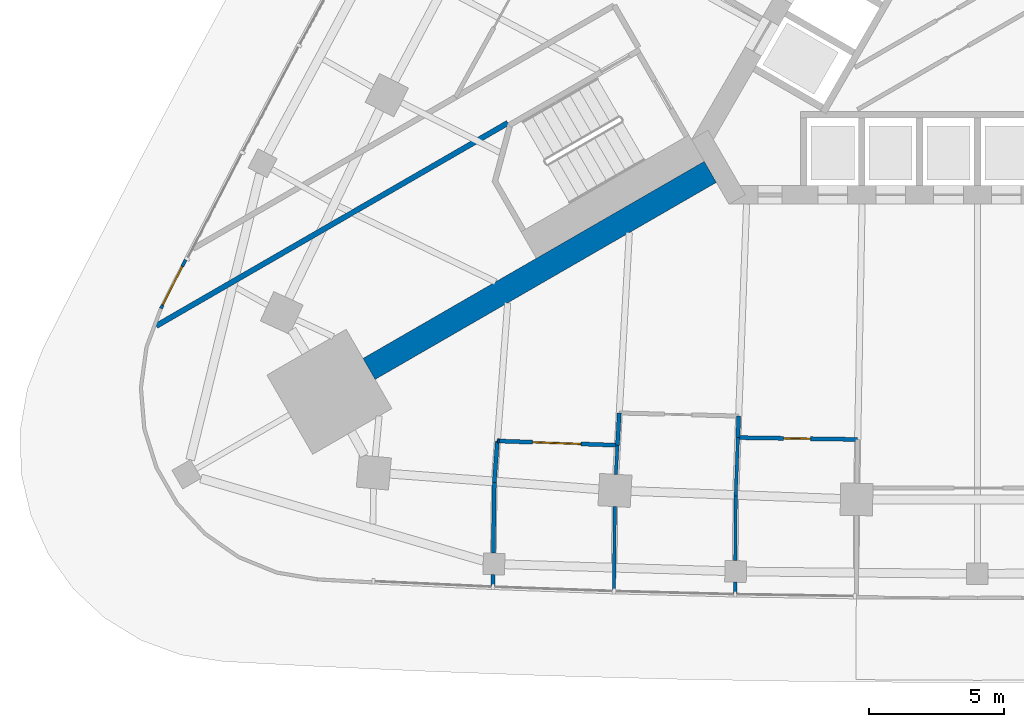
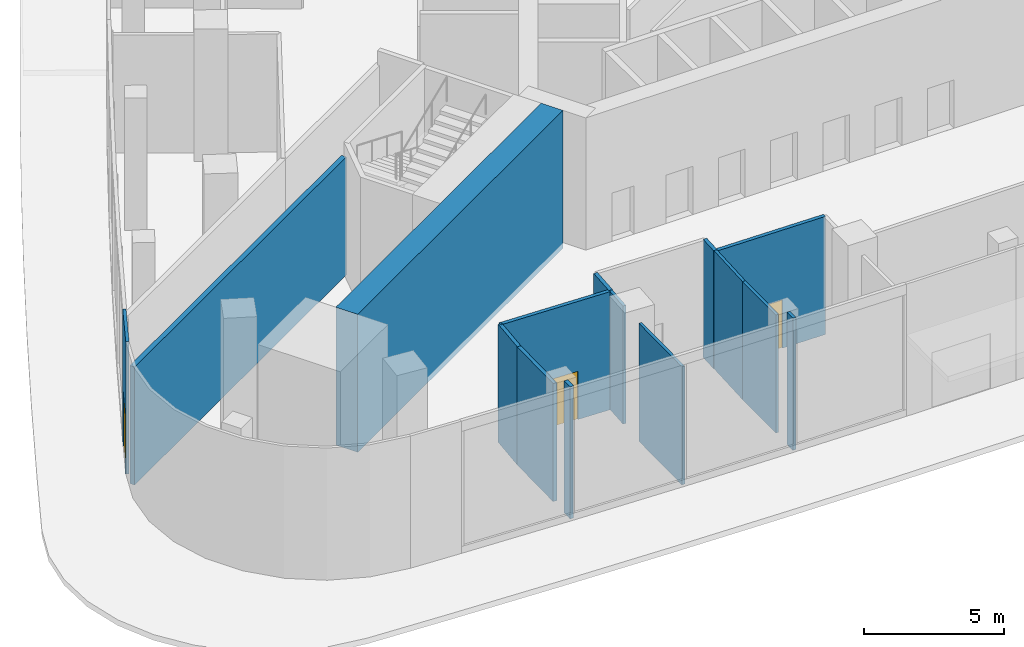
# One storey, part 6 of 14: 16 walls, 3 doors, 3 openings.
"""IFC4 building model written with IfcOpenShell, lengths in metres."""

import ifcopenshell
import ifcopenshell.guid

model = None  # the IFC model being written
_history = None  # IfcOwnerHistory: only IFC2X3 demands one
_inside = {}  # id of a spatial element -> (the spatial element, [elements in it])
_under = {}  # id of a project, library or spatial element -> (it, [spatial elements below it])
_declared = {}  # id of a project -> (the project, [libraries it declares])
_typed = {}  # id of a type object -> (the type object, [elements of that type])
_made_of = {}  # id of a material, layer set ... -> (it, [elements and type objects made of it])


def new_model(schema):
    """Start an empty IFC model of exactly this schema.

    Asked for "IFC4X3", IfcOpenShell would pick the latest addendum, in which some entities
    have other attributes; the version numbers below select the first issue.
    IFC2X3 requires an IfcOwnerHistory on every rooted entity: one is made here for all.
    """
    global model, _history
    if schema == "IFC4X3":
        model = ifcopenshell.file(schema_version=(4, 3, 0, 0))
    else:
        model = ifcopenshell.file(schema=schema)
    _inside.clear()
    _under.clear()
    _declared.clear()
    _typed.clear()
    _made_of.clear()
    _history = None
    if model.schema == "IFC2X3":
        org = make("IfcOrganization", Name="unknown")
        user = make(
            "IfcPersonAndOrganization",
            ThePerson=make("IfcPerson", FamilyName="unknown"),
            TheOrganization=org,
        )
        app = make(
            "IfcApplication",
            ApplicationDeveloper=org,
            Version="unknown",
            ApplicationFullName="unknown",
            ApplicationIdentifier="unknown",
        )
        _history = make(
            "IfcOwnerHistory",
            OwningUser=user,
            OwningApplication=app,
            ChangeAction="ADDED",
            CreationDate=0,
        )
    return model


def make(cls, **values):
    """One entity of the class cls with the attributes given. An attribute that is None is left unset."""
    return model.create_entity(
        cls, **{name: value for name, value in values.items() if value is not None}
    )


def rooted(cls, **values):
    """An entity with a GlobalId (a new one), such as an element, a storey or a relation."""
    return make(cls, GlobalId=ifcopenshell.guid.new(), OwnerHistory=_history, **values)


def si_unit(unit_type, name, prefix=None):
    """IfcSIUnit, for example si_unit("LENGTHUNIT", "METRE", prefix="MILLI")."""
    return make("IfcSIUnit", UnitType=unit_type, Prefix=prefix, Name=name)


def assignment(units):
    """IfcUnitAssignment: the units of a project."""
    return None if units is None else make("IfcUnitAssignment", Units=units)


def point(xyz):
    """IfcCartesianPoint."""
    return None if xyz is None else make("IfcCartesianPoint", Coordinates=xyz)


def direction(xyz):
    """IfcDirection."""
    return None if xyz is None else make("IfcDirection", DirectionRatios=xyz)


def frame(location, z_axis=None, x_axis=None):
    """IfcAxis2Placement3D, a coordinate frame: its origin and axes. An axis left out is left unset."""
    return make(
        "IfcAxis2Placement3D",
        Location=point(location),
        Axis=direction(z_axis),
        RefDirection=direction(x_axis),
    )


def frame_2d(location, x_axis=None):
    """IfcAxis2Placement2D, a coordinate frame in the plane: its origin and x axis."""
    return make(
        "IfcAxis2Placement2D", Location=point(location), RefDirection=direction(x_axis)
    )


def origin():
    """The frame at (0, 0, 0) with its axes left unset."""
    return frame((0.0, 0.0, 0.0))


def place(relative_to, where):
    """IfcLocalPlacement: puts the frame where relative to a parent placement (None: the world)."""
    return make(
        "IfcLocalPlacement", PlacementRelTo=relative_to, RelativePlacement=where
    )


def context(
    kind, dimensions, precision=None, world=None, true_north=None, identifier=None
):
    """IfcGeometricRepresentationContext, for example the 3D "Model" context."""
    return make(
        "IfcGeometricRepresentationContext",
        ContextIdentifier=identifier,
        ContextType=kind,
        CoordinateSpaceDimension=dimensions,
        Precision=precision,
        WorldCoordinateSystem=world,
        TrueNorth=true_north,
    )


def subcontext(parent, identifier, kind, view, scale=None):
    """IfcGeometricRepresentationSubContext, for example "Body" below "Model"."""
    return make(
        "IfcGeometricRepresentationSubContext",
        ContextIdentifier=identifier,
        ContextType=kind,
        ParentContext=parent,
        TargetScale=scale,
        TargetView=view,
    )


def project(units=None, contexts=None):
    """IfcProject with its units and contexts."""
    return rooted(
        "IfcProject",
        Name="project",
        RepresentationContexts=contexts,
        UnitsInContext=assignment(units),
    )


def spatial(cls, under=None, at=None, **own):
    """A site, building, storey or space (cls), placed at a placement, below another one or the project."""
    s = rooted(cls, ObjectPlacement=at, **own)
    if under is not None:
        _under.setdefault(under.id(), (under, []))[1].append(s)
    return s


def profile(cls, at=None, kind="AREA", **sizes):
    """A parametric profile (cls). Its sizes go by their IFC names, for example OverallWidth=200.0."""
    return make(cls, ProfileType=kind, Position=at, **sizes)


def rectangle(**sizes):
    """IfcRectangleProfileDef."""
    return profile("IfcRectangleProfileDef", **sizes)


def extrude(swept, where, along, depth):
    """IfcExtrudedAreaSolid: the profile swept, set in the frame where, extruded along a direction by depth."""
    return make(
        "IfcExtrudedAreaSolid",
        SweptArea=swept,
        Position=where,
        ExtrudedDirection=direction(along),
        Depth=depth,
    )


def shape(context_of_items, identifier, shape_type, items):
    """IfcShapeRepresentation: the items that make up one representation, for example the "Body"."""
    return make(
        "IfcShapeRepresentation",
        ContextOfItems=context_of_items,
        RepresentationIdentifier=identifier,
        RepresentationType=shape_type,
        Items=items,
    )


def material(Name=None, Category=None):
    """IfcMaterial."""
    return make("IfcMaterial", Name=Name, Category=Category)


def layer(
    of_material, thickness, ventilated=None, Name=None, Category=None, Priority=None
):
    """IfcMaterialLayer: one layer of a wall or slab, of a material (None: an air gap)."""
    return make(
        "IfcMaterialLayer",
        Material=of_material,
        LayerThickness=thickness,
        IsVentilated=ventilated,
        Name=Name,
        Category=Category,
        Priority=Priority,
    )


def layer_set(layers, Name=None):
    """IfcMaterialLayerSet."""
    return make("IfcMaterialLayerSet", MaterialLayers=layers, LayerSetName=Name)


def made_of(thing, what):
    """Note that an element or type object is made of a material, layer set ...; save() writes the relation."""
    if what is not None:
        _made_of.setdefault(what.id(), (what, []))[1].append(thing)
    return thing


def type_object(cls, material=None, **own):
    """A type object (cls), such as IfcWallType, which elements share."""
    return made_of(rooted(cls, **own), material)


def element(
    cls,
    number,
    at=None,
    inside=None,
    cuts=None,
    type_object=None,
    material=None,
    context=None,
    identifier="Body",
    shape_type=None,
    held_by="IfcProductDefinitionShape",
    body=None,
    shapes=None,
    **own,
):
    """One element of the class cls, such as IfcWall. Its Tag is "e" and its number.

    at: its placement. inside: the storey or other place that contains it. cuts: it is an
    opening in that element (IfcRelVoidsElement). A single representation is given by context,
    identifier, shape_type and body (its items); several are given by shapes. held_by: the class
    of the entity that holds the representations. save() writes the other relations.
    """
    e = rooted(cls, Tag="e%d" % number, ObjectPlacement=at, **own)
    if body is not None:
        shapes = [shape(context, identifier, shape_type, body)]
    if shapes is not None:
        e.Representation = make(held_by, Representations=shapes)
    if inside is not None:
        _inside.setdefault(inside.id(), (inside, []))[1].append(e)
    if cuts is not None:
        rooted(
            "IfcRelVoidsElement", RelatingBuildingElement=cuts, RelatedOpeningElement=e
        )
    if type_object is not None:
        _typed.setdefault(type_object.id(), (type_object, []))[1].append(e)
    return made_of(e, material)


def fill(opening, filler):
    """IfcRelFillsElement: the door or window that sits in an opening."""
    return rooted(
        "IfcRelFillsElement",
        RelatingOpeningElement=opening,
        RelatedBuildingElement=filler,
    )


def aggregate(whole, parts):
    """IfcRelAggregates: a whole, such as a stair, and the parts it consists of."""
    return rooted("IfcRelAggregates", RelatingObject=whole, RelatedObjects=parts)


def save(model, path):
    """Write the relations noted so far, then the file.

    IfcRelAggregates (storeys below a building ...), IfcRelContainedInSpatialStructure (elements
    in a storey), IfcRelDefinesByType, IfcRelAssociatesMaterial and IfcRelDeclares: one each for
    every whole, place, type object, material and project.
    """
    for whole, parts in _under.values():
        aggregate(whole, parts)
    for where, things in _inside.values():
        rooted(
            "IfcRelContainedInSpatialStructure",
            RelatedElements=things,
            RelatingStructure=where,
        )
    for kind, things in _typed.values():
        rooted("IfcRelDefinesByType", RelatedObjects=things, RelatingType=kind)
    for what, things in _made_of.values():
        rooted("IfcRelAssociatesMaterial", RelatedObjects=things, RelatingMaterial=what)
    for by, libraries in _declared.values():
        rooted("IfcRelDeclares", RelatingContext=by, RelatedDefinitions=libraries)
    model.write(path)


model = new_model("IFC4")

# Units and contexts
model_context = context("Model", 3, precision=1e-05, world=origin(), true_north=direction((0.0, 1.0)))
body_context = subcontext(model_context, "Body", "Model", "MODEL_VIEW")
ifc_project = project(units=[si_unit("LENGTHUNIT", "METRE"), si_unit("AREAUNIT", "SQUARE_METRE"), si_unit("VOLUMEUNIT", "CUBIC_METRE"), si_unit("PLANEANGLEUNIT", "RADIAN"), si_unit("MASSUNIT", "GRAM", prefix="KILO")], contexts=[model_context])

# Site, building, storey
site_placement = place(None, origin())
site = spatial("IfcSite", under=ifc_project, at=site_placement, CompositionType="ELEMENT")
building_placement = place(site_placement, origin())
building = spatial("IfcBuilding", under=site, at=building_placement, Name="Noor Cloister Tower", CompositionType="ELEMENT")
storey_placement = place(building_placement, origin())
storey = spatial("IfcBuildingStorey", under=building, at=storey_placement, Name="L00", CompositionType="ELEMENT", Elevation=0.0)

# Wall
ifc_material_1 = material(Name="Concrete C80/95", Category="concrete")
ifc_layer_1 = layer(ifc_material_1, 0.89990234375)
ifc_layer_set_1 = layer_set([ifc_layer_1], Name="Buttress wall 900 C80/95")
wall_type_1 = type_object("IfcWallType", Name="Buttress wall 900 C80/95", PredefinedType="SHEAR", material=ifc_layer_set_1)
wall_1_placement = place(storey_placement, frame((-9.921630859375, -5.728271484375, -0.25), z_axis=(0.0, 0.0, 1.0), x_axis=(-0.866028046028, -0.499995423472, 0.0)))
element("IfcWall", 1, at=wall_1_placement, inside=storey, type_object=wall_type_1, Name="Buttress wall SW L00", PredefinedType="SHEAR", context=body_context, shape_type="SweptSolid", body=[
    extrude(rectangle(XDim=14.632568359375, YDim=0.89990234375, at=frame_2d((7.31640625, 0.0))), origin(), (0.0, 0.0, 1.0), 6.0),
])

# Wall, opening, door
ifc_material_2 = material(Name="Plasterboard on steel studs", Category="steel")
ifc_layer_2 = layer(ifc_material_2, 0.14990234375)
ifc_layer_set_2 = layer_set([ifc_layer_2], Name="Corridor wall 150")
wall_type_2 = type_object("IfcWallType", Name="Corridor wall 150", PredefinedType="PARTITIONING", material=ifc_layer_set_2)
wall_2_placement = place(storey_placement, frame((-4.447998046875, -15.6640625, 0.0), z_axis=(0.0, 0.0, 1.0), x_axis=(-0.999881808168, 0.015374319343, 0.0)))
wall_2 = element("IfcWall", 2, at=wall_2_placement, inside=storey, type_object=wall_type_2, Name="Partition", PredefinedType="PARTITIONING", context=body_context, shape_type="SweptSolid", body=[
    extrude(rectangle(XDim=4.430419921875, YDim=0.14990234375, at=frame_2d((2.21533203125, 0.0))), origin(), (0.0, 0.0, 1.0), 5.137939453125),
])
opening_1_placement = place(wall_2_placement, frame((1.75, 0.0, 0.0)))
opening_1 = element("IfcOpeningElement", 3, at=opening_1_placement, cuts=wall_2, Name="Opening L00-001", PredefinedType="OPENING", context=body_context, shape_type="SweptSolid", body=[
    extrude(rectangle(XDim=1.0, YDim=2.10009765625, at=frame_2d((0.5, 1.050048828125))), frame((0.0, 0.0849609375, 0.0), z_axis=(0.0, -1.0, 0.0), x_axis=(1.0, 0.0, 0.0)), (0.0, 0.0, 1.0), 0.169921875),
])
ifc_material_3 = material(Name="Timber door leaf", Category="wood")
door_type_1 = type_object("IfcDoorType", Name="Clinic room door 1000", OperationType="SINGLE_SWING_LEFT", PredefinedType="DOOR", material=ifc_material_3)
door_1_placement = place(opening_1_placement, origin())
door_1 = element("IfcDoor", 4, at=door_1_placement, inside=storey, type_object=door_type_1, Name="Door L00-001", OperationType="SINGLE_SWING_RIGHT", OverallHeight=2.10009765625, OverallWidth=1.0, PredefinedType="DOOR", context=body_context, shape_type="SweptSolid", body=[
    extrude(rectangle(XDim=1.0, YDim=2.10009765625, at=frame_2d((0.5, 1.050048828125))), frame((0.0, 0.02490234375, 0.0), z_axis=(0.0, -1.0, 0.0), x_axis=(1.0, 0.0, 0.0)), (0.0, 0.0, 1.0), 0.050048828125),
])
fill(opening_1, door_1)

# Wall
wall_3_placement = place(storey_placement, frame((-17.988037109375, -20.68798828125, 0.0), z_axis=(0.0, 0.0, 1.0), x_axis=(-0.011356451033, -0.999935513431, 0.0)))
element("IfcWall", 5, at=wall_3_placement, inside=storey, type_object=wall_type_2, Name="Partition", PredefinedType="PARTITIONING", context=body_context, shape_type="SweptSolid", body=[
    extrude(rectangle(XDim=0.429931640625, YDim=0.14990234375, at=frame_2d((0.21484375, 0.0))), origin(), (0.0, 0.0, 1.0), 5.75),
])

# Wall, opening, door
wall_4_placement = place(storey_placement, frame((-13.3701171875, -15.8798828125, 0.0), z_axis=(0.0, 0.0, 1.0), x_axis=(-0.999355911335, 0.035885407628, 0.0)))
wall_4 = element("IfcWall", 6, at=wall_4_placement, inside=storey, type_object=wall_type_2, Name="Partition", PredefinedType="PARTITIONING", context=body_context, shape_type="SweptSolid", body=[
    extrude(rectangle(XDim=4.40185546875, YDim=0.14990234375, at=frame_2d((2.200927734375, 0.0))), origin(), (0.0, 0.0, 1.0), 5.137939453125),
])
opening_2_placement = place(wall_4_placement, frame((1.35009765625, 0.0, 0.0)))
opening_2 = element("IfcOpeningElement", 7, at=opening_2_placement, cuts=wall_4, Name="Opening L00-002", PredefinedType="OPENING", context=body_context, shape_type="SweptSolid", body=[
    extrude(rectangle(XDim=1.800048828125, YDim=2.10009765625, at=frame_2d((0.89990234375, 1.050048828125))), frame((0.0, 0.0849609375, 0.0), z_axis=(0.0, -1.0, 0.0), x_axis=(1.0, 0.0, 0.0)), (0.0, 0.0, 1.0), 0.169921875),
])
ifc_material_4 = material(Name="Timber door leaf", Category="wood")
door_type_2 = type_object("IfcDoorType", Name="Double leaf door 1800", OperationType="DOUBLE_DOOR_SINGLE_SWING", PredefinedType="DOOR", material=ifc_material_4)
door_2_placement = place(opening_2_placement, origin())
door_2 = element("IfcDoor", 8, at=door_2_placement, inside=storey, type_object=door_type_2, Name="Door L00-002", OperationType="DOUBLE_DOOR_SINGLE_SWING", OverallHeight=2.10009765625, OverallWidth=1.800048828125, PredefinedType="DOOR", context=body_context, shape_type="SweptSolid", body=[
    extrude(rectangle(XDim=1.800048828125, YDim=2.10009765625, at=frame_2d((0.89990234375, 1.050048828125))), frame((0.0, 0.02490234375, 0.0), z_axis=(0.0, -1.0, 0.0), x_axis=(1.0, 0.0, 0.0)), (0.0, 0.0, 1.0), 0.050048828125),
])
fill(opening_2, door_2)

# Walls
wall_5_placement = place(storey_placement, frame((-17.76904296875, -15.721923828125, 0.0), z_axis=(0.0, 0.0, 1.0), x_axis=(-0.998720613581, 0.050568132333, 0.0)))
element("IfcWall", 9, at=wall_5_placement, inside=storey, type_object=wall_type_2, Name="Partition", PredefinedType="PARTITIONING", context=body_context, shape_type="SweptSolid", body=[
    extrude(rectangle(XDim=0.057861328125, YDim=0.14990234375, at=frame_2d((0.02880859375, 0.0))), origin(), (0.0, 0.0, 1.0), 5.137939453125),
])
wall_6_placement = place(storey_placement, frame((-17.827880859375, -15.719970703125, 0.0), z_axis=(0.0, 0.0, 1.0), x_axis=(-0.07427744271, -0.997237615368, 0.0)))
element("IfcWall", 10, at=wall_6_placement, inside=storey, type_object=wall_type_2, Name="Partition", PredefinedType="PARTITIONING", context=body_context, shape_type="SweptSolid", body=[
    extrude(rectangle(XDim=1.551513671875, YDim=0.14990234375, at=frame_2d((0.77587890625, 0.0))), origin(), (0.0, 0.0, 1.0), 5.137939453125),
])
wall_7_placement = place(storey_placement, frame((-17.943115234375, -17.26708984375, 0.0), z_axis=(0.0, 0.0, 1.0), x_axis=(-0.012952039932, -0.999916118813, 0.0)))
element("IfcWall", 11, at=wall_7_placement, inside=storey, type_object=wall_type_2, Name="Partition", PredefinedType="PARTITIONING", context=body_context, shape_type="SweptSolid", body=[
    extrude(rectangle(XDim=2.6201171875, YDim=0.14990234375, at=frame_2d((1.31005859375, 0.0))), origin(), (0.0, 0.0, 1.0), 5.137939453125),
])
wall_8_placement = place(storey_placement, frame((-8.89697265625, -15.594970703125, 0.0), z_axis=(0.0, 0.0, 1.0), x_axis=(0.037553693, 0.999294611284, 0.0)))
element("IfcWall", 12, at=wall_8_placement, inside=storey, type_object=wall_type_2, Name="Partition", PredefinedType="PARTITIONING", context=body_context, shape_type="SweptSolid", body=[
    extrude(rectangle(XDim=0.799560546875, YDim=0.14990234375, at=frame_2d((0.39990234375, 0.0))), origin(), (0.0, 0.0, 1.0), 5.137939453125),
])
wall_9_placement = place(storey_placement, frame((-13.302001953125, -14.681884765625, 0.0), z_axis=(0.0, 0.0, 1.0), x_axis=(-0.055797092246, -0.998442128767, 0.0)))
element("IfcWall", 13, at=wall_9_placement, inside=storey, type_object=wall_type_2, Name="Partition", PredefinedType="PARTITIONING", context=body_context, shape_type="SweptSolid", body=[
    extrude(rectangle(XDim=1.198974609375, YDim=0.14990234375, at=frame_2d((0.599609375, 0.0))), origin(), (0.0, 0.0, 1.0), 5.137939453125),
])
ifc_material_5 = material(Name="Reinforced blockwork", Category="masonry")
ifc_layer_3 = layer(ifc_material_5, 0.199951171875)
ifc_layer_set_3 = layer_set([ifc_layer_3], Name="Fire rated block wall 200 EI 120")
wall_type_3 = type_object("IfcWallType", Name="Fire rated block wall 200 EI 120", PredefinedType="PARTITIONING", material=ifc_layer_set_3)
wall_10_placement = place(storey_placement, frame((-17.43896484375, -3.907958984375, 0.0), z_axis=(0.0, 0.0, 1.0), x_axis=(-0.866030838723, -0.499990586292, 0.0)))
element("IfcWall", 14, at=wall_10_placement, inside=storey, type_object=wall_type_3, Name="Fire rated wall", PredefinedType="PARTITIONING", context=body_context, shape_type="SweptSolid", body=[
    extrude(rectangle(XDim=15.080322265625, YDim=0.199951171875, at=frame_2d((7.5400390625, 0.0))), origin(), (0.0, 0.0, 1.0), 5.133056640625),
])

# Wall, opening, door
ifc_material_6 = material(Name="Limestone", Category="masonry")
ifc_layer_4 = layer(ifc_material_6, 0.1201171875)
ifc_layer_set_4 = layer_set([ifc_layer_4], Name="Limestone cladding 120 EI 60")
wall_type_4 = type_object("IfcWallType", Name="Limestone cladding 120 EI 60", PredefinedType="NOTDEFINED", material=ifc_layer_set_4)
wall_11_placement = place(storey_placement, frame((-30.32421875, -10.8017578125, 0.0), z_axis=(0.0, 0.0, 1.0), x_axis=(0.452783536197, 0.891620473828, 0.0)))
wall_11 = element("IfcWall", 15, at=wall_11_placement, inside=storey, type_object=wall_type_4, Name="Limestone pilaster wall L00 1.1", PredefinedType="NOTDEFINED", context=body_context, shape_type="SweptSolid", body=[
    extrude(rectangle(XDim=2.030517578125, YDim=0.1201171875, at=frame_2d((1.01513671875, 0.0))), origin(), (0.0, 0.0, 1.0), 5.75),
])
opening_3_placement = place(wall_11_placement, frame((0.14794921875, 0.0, 0.0)))
opening_3 = element("IfcOpeningElement", 16, at=opening_3_placement, cuts=wall_11, Name="Opening L00-X14", PredefinedType="OPENING", context=body_context, shape_type="SweptSolid", body=[
    extrude(rectangle(XDim=1.60009765625, YDim=2.39990234375, at=frame_2d((0.800048828125, 1.199951171875))), frame((0.0, 0.070068359375, 0.0), z_axis=(0.0, -1.0, 0.0), x_axis=(1.0, 0.0, 0.0)), (0.0, 0.0, 1.0), 0.14013671875),
])
ifc_material_7 = material(Name="Steel and glass", Category="steel")
door_type_3 = type_object("IfcDoorType", Name="Stair exit door pair 1600 x 2400", OperationType="DOUBLE_DOOR_SINGLE_SWING", PredefinedType="DOOR", material=ifc_material_7)
door_3_placement = place(opening_3_placement, origin())
door_3 = element("IfcDoor", 17, at=door_3_placement, inside=storey, type_object=door_type_3, Name="Stair exit door SW", OperationType="DOUBLE_DOOR_SINGLE_SWING", OverallHeight=2.39990234375, OverallWidth=1.60009765625, PredefinedType="DOOR", context=body_context, shape_type="SweptSolid", body=[
    extrude(rectangle(XDim=1.60009765625, YDim=2.39990234375, at=frame_2d((0.800048828125, 1.199951171875))), frame((0.0, 0.02490234375, 0.0), z_axis=(0.0, -1.0, 0.0), x_axis=(1.0, 0.0, 0.0)), (0.0, 0.0, 1.0), 0.050048828125),
])
fill(opening_3, door_3)

# Walls
ifc_material_8 = material(Name="Plasterboard on steel studs", Category="steel")
ifc_layer_5 = layer(ifc_material_8, 0.1201171875)
ifc_layer_set_5 = layer_set([ifc_layer_5], Name="Partition wall 120")
wall_type_5 = type_object("IfcWallType", Name="Partition wall 120", PredefinedType="PARTITIONING", material=ifc_layer_set_5)
wall_12_placement = place(storey_placement, frame((-8.99609375, -20.965087890625, 0.0), z_axis=(0.0, 0.0, 1.0), x_axis=(-0.006829664275, -0.999976677571, 0.0)))
element("IfcWall", 18, at=wall_12_placement, inside=storey, type_object=wall_type_5, Name="Partition", PredefinedType="PARTITIONING", context=body_context, shape_type="SweptSolid", body=[
    extrude(rectangle(XDim=0.428955078125, YDim=0.1201171875, at=frame_2d((0.21435546875, 0.0))), origin(), (0.0, 0.0, 1.0), 5.75),
])
wall_13_placement = place(storey_placement, frame((-8.89697265625, -15.592041015625, 0.0), z_axis=(0.0, 0.0, 1.0), x_axis=(-0.03723983729, -0.999306356689, 0.0)))
element("IfcWall", 19, at=wall_13_placement, inside=storey, type_object=wall_type_5, Name="Partition", PredefinedType="PARTITIONING", context=body_context, shape_type="SweptSolid", body=[
    extrude(rectangle(XDim=2.176513671875, YDim=0.1201171875, at=frame_2d((1.08837890625, 0.0))), origin(), (0.0, 0.0, 1.0), 5.137939453125),
])
wall_14_placement = place(storey_placement, frame((-8.97802734375, -17.76708984375, 0.0), z_axis=(0.0, 0.0, 1.0), x_axis=(-0.005803200997, -0.999983161287, 0.0)))
element("IfcWall", 20, at=wall_14_placement, inside=storey, type_object=wall_type_5, Name="Partition", PredefinedType="PARTITIONING", context=body_context, shape_type="SweptSolid", body=[
    extrude(rectangle(XDim=2.39794921875, YDim=0.1201171875, at=frame_2d((1.198974609375, 0.0))), origin(), (0.0, 0.0, 1.0), 5.137939453125),
])
wall_15_placement = place(storey_placement, frame((-13.4970703125, -21.279052734375, 0.0), z_axis=(0.0, 0.0, 1.0), x_axis=(0.009311020464, 0.999956651509, 0.0)))
element("IfcWall", 21, at=wall_15_placement, inside=storey, type_object=wall_type_5, Name="Partition", PredefinedType="PARTITIONING", context=body_context, shape_type="SweptSolid", body=[
    extrude(rectangle(XDim=3.120361328125, YDim=0.1201171875, at=frame_2d((1.56005859375, 0.0))), origin(), (0.0, 0.0, 1.0), 5.133056640625),
])
wall_16_placement = place(storey_placement, frame((-13.428955078125, -16.9599609375, 0.0), z_axis=(0.0, 0.0, 1.0), x_axis=(0.055520018819, 0.998457574216, 0.0)))
element("IfcWall", 22, at=wall_16_placement, inside=storey, type_object=wall_type_5, Name="Partition", PredefinedType="PARTITIONING", context=body_context, shape_type="SweptSolid", body=[
    extrude(rectangle(XDim=1.081787109375, YDim=0.1201171875, at=frame_2d((0.541015625, 0.0))), origin(), (0.0, 0.0, 1.0), 5.137939453125),
])

save(model, "model.ifc")
